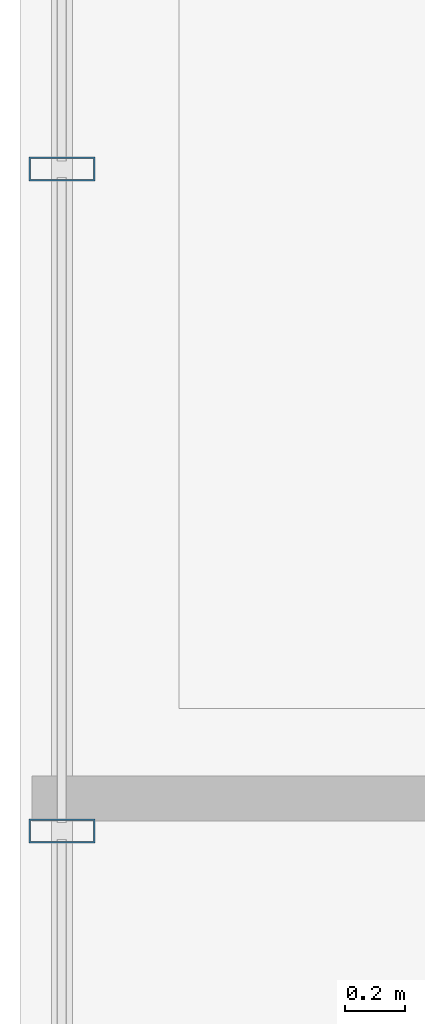
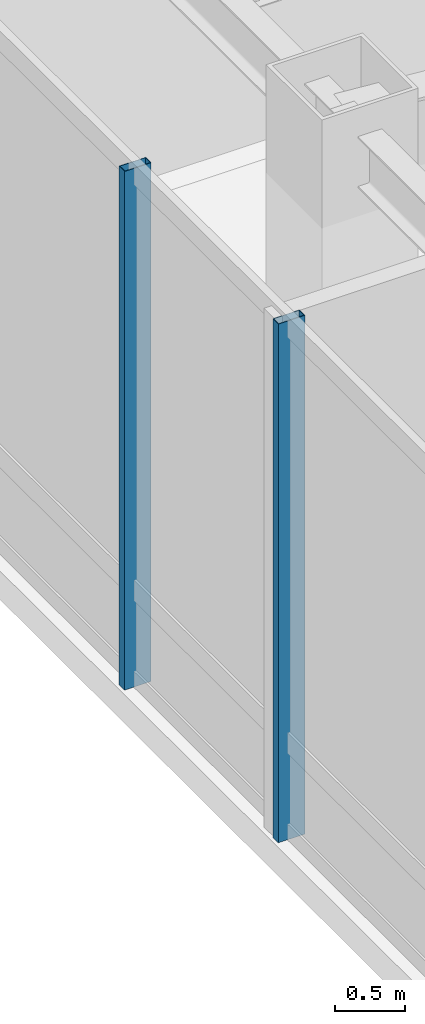
# One storey, part 15 of 30: 2 members, 1 element without a shape of its own.
"""IFC4 building model written with IfcOpenShell, lengths in metres."""

from ifc_helpers import new_model, si_unit, direction, frame, origin, origin_2d, place, context, subcontext, project, spatial, hollow_rectangle, extrude, material, layer, layer_set, material_profile, profile_set, type_object, element, aggregate, save


model = new_model("IFC4")

# Units and contexts
model_context = context("Model", 3, precision=1e-05, world=origin(), true_north=direction((0.0, 1.0)))
body_context = subcontext(model_context, "Body", "Model", "MODEL_VIEW")
ifc_project = project(units=[si_unit("LENGTHUNIT", "METRE"), si_unit("AREAUNIT", "SQUARE_METRE"), si_unit("VOLUMEUNIT", "CUBIC_METRE"), si_unit("PLANEANGLEUNIT", "RADIAN"), si_unit("MASSUNIT", "GRAM", prefix="KILO")], contexts=[model_context])

# Site, building, storey
site_placement = place(None, origin())
site = spatial("IfcSite", under=ifc_project, at=site_placement, CompositionType="ELEMENT")
building_placement = place(site_placement, origin())
building = spatial("IfcBuilding", under=site, at=building_placement, Name="Hatsunagi Terrace Concourse", CompositionType="ELEMENT")
storey_placement = place(building_placement, frame((0.0, 0.0, 130.050048828125)))
storey = spatial("IfcBuildingStorey", under=building, at=storey_placement, Name="L34", CompositionType="ELEMENT", Elevation=130.050048828125)

# Curtain wall, members
ifc_material_1 = material(Name="Anodised Aluminium Alloy 6063-T5", Category="aluminium")
ifc_layer = layer(ifc_material_1, 0.199951171875)
ifc_layer_set = layer_set([ifc_layer], Name="SkyLobbyAtrium_CW05")
curtain_wall_type = type_object("IfcCurtainWallType", Name="SkyLobbyAtrium_CW05", PredefinedType="NOTDEFINED", material=ifc_layer_set)
curtain_wall_placement = place(storey_placement, origin())
curtain_wall = element("IfcCurtainWall", 1, at=curtain_wall_placement, inside=storey, type_object=curtain_wall_type, Name="Unitised Curtain Wall CW-05 CW-L34-09", PredefinedType="NOTDEFINED")
ifc_material_2 = material(Name="Anodised Aluminium Alloy 6063-T5", Category="aluminium")
ifc_material_profile = material_profile(ifc_material_2, hollow_rectangle(XDim=0.080078125, YDim=0.219970703125, WallThickness=0.0048828125, at=origin_2d()), Name="ALU-MUL-220x80x5")
ifc_profile_set = profile_set([ifc_material_profile], Name="Anodised Aluminium Alloy 6063-T5")
member_type = type_object("IfcMemberType", Name="CurtainWallMullion_Heavy_220x80", PredefinedType="MULLION", material=ifc_profile_set)
member_1_placement = place(storey_placement, frame((9.739990234375, 34.69189453125, 0.0), z_axis=(0.0, 0.0, 1.0), x_axis=(0.0, 1.0, 0.0)))
member_1 = element("IfcMember", 2, at=member_1_placement, type_object=member_type, Name="Curtain Wall Mullion MUL-01", PredefinedType="MULLION", context=body_context, shape_type="SweptSolid", body=[
    extrude(hollow_rectangle(XDim=0.080078125, YDim=0.219970703125, WallThickness=0.0048828125, at=origin_2d()), origin(), (0.0, 0.0, 1.0), 4.550048828125),
])
member_2_placement = place(storey_placement, frame((9.739990234375, 36.89990234375, 0.0), z_axis=(0.0, 0.0, 1.0), x_axis=(0.0, 1.0, 0.0)))
member_2 = element("IfcMember", 3, at=member_2_placement, type_object=member_type, Name="Curtain Wall Mullion MUL-01", PredefinedType="MULLION", context=body_context, shape_type="SweptSolid", body=[
    extrude(hollow_rectangle(XDim=0.080078125, YDim=0.219970703125, WallThickness=0.0048828125, at=origin_2d()), origin(), (0.0, 0.0, 1.0), 4.550048828125),
])
aggregate(curtain_wall, [member_1, member_2])

save(model, "model.ifc")
